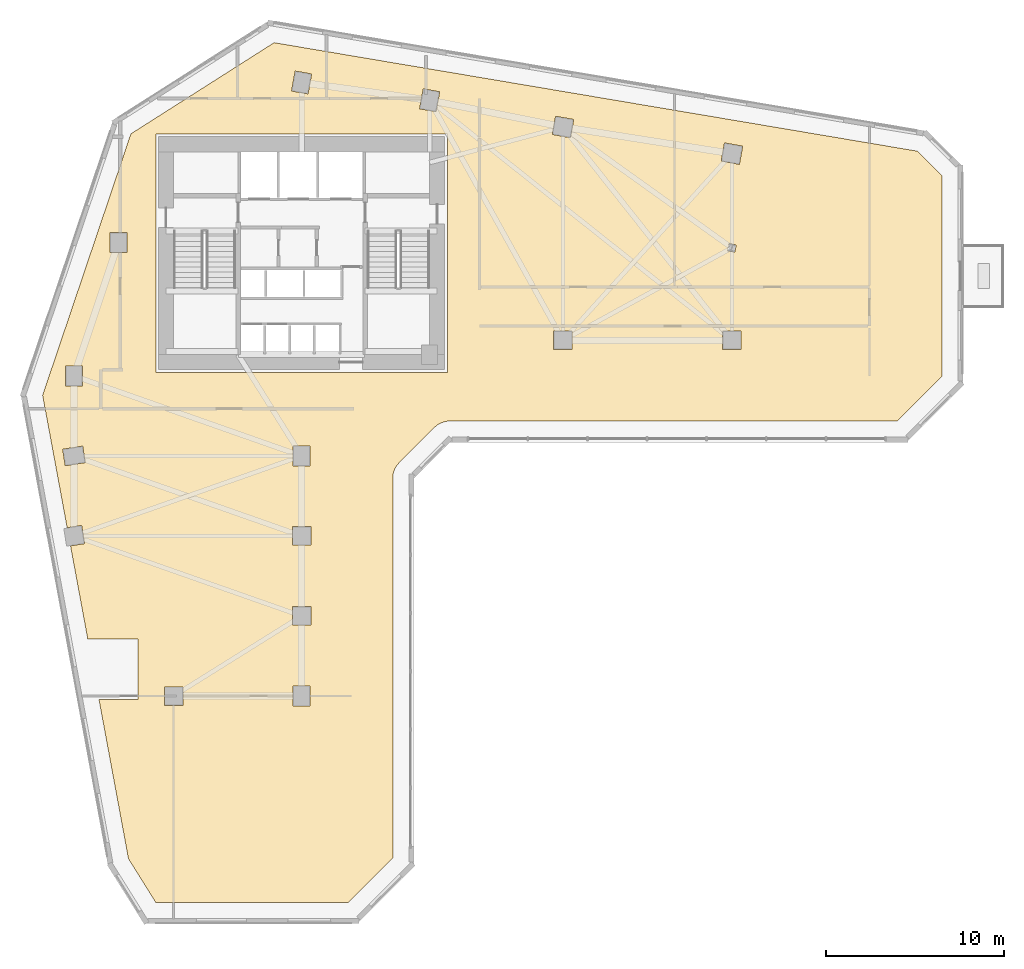
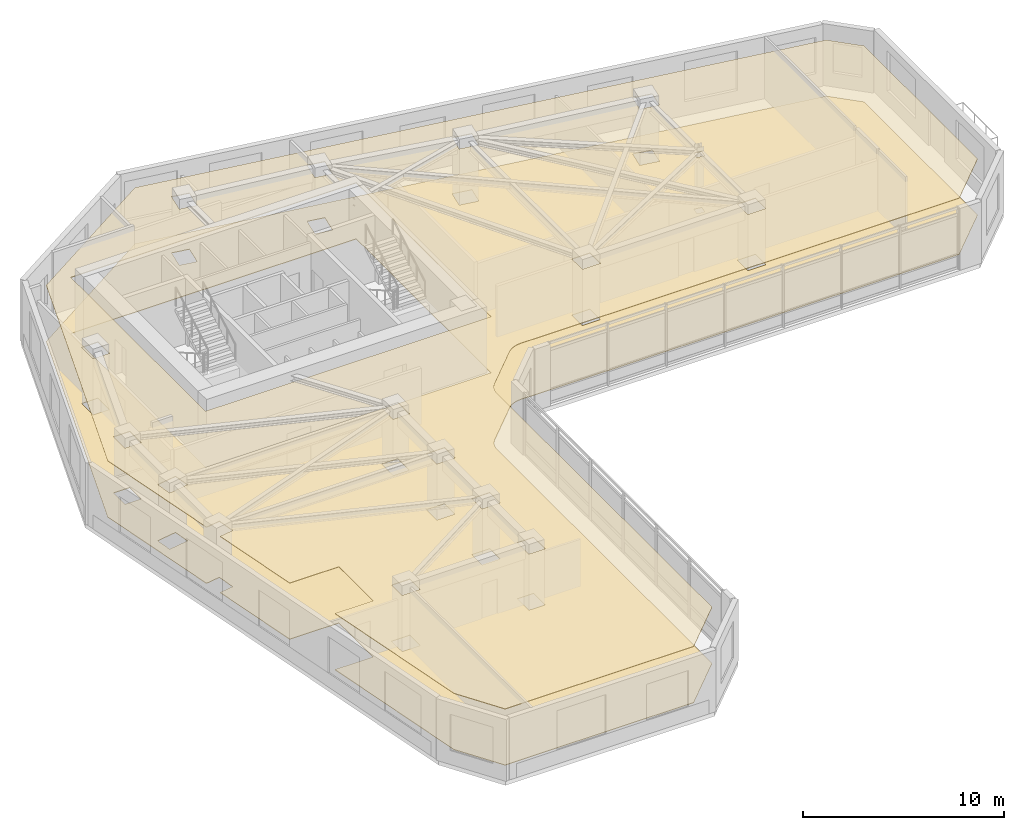
# One storey, part 9 of 11: 2 coverings.
"""IFC4 building model written with IfcOpenShell, lengths in metres."""

from ifc_helpers import new_model, si_unit, direction, frame, origin, place, context, subcontext, project, spatial, polyline, outline, extrude, material, layer, layer_set, type_object, element, save


model = new_model("IFC4")

# Units and contexts
model_context = context("Model", 3, precision=1e-05, world=origin(), true_north=direction((0.0, 1.0)))
body_context = subcontext(model_context, "Body", "Model", "MODEL_VIEW")
ifc_project = project(units=[si_unit("LENGTHUNIT", "METRE"), si_unit("AREAUNIT", "SQUARE_METRE"), si_unit("VOLUMEUNIT", "CUBIC_METRE"), si_unit("PLANEANGLEUNIT", "RADIAN"), si_unit("MASSUNIT", "GRAM", prefix="KILO")], contexts=[model_context])

# Site, building, storey
site_placement = place(None, origin())
site = spatial("IfcSite", under=ifc_project, at=site_placement, CompositionType="ELEMENT")
building_placement = place(site_placement, origin())
building = spatial("IfcBuilding", under=site, at=building_placement, Name="Calvemar Wedge Station Tower", CompositionType="ELEMENT")
storey_placement = place(building_placement, frame((0.0, 0.0, 35.0)))
storey = spatial("IfcBuildingStorey", under=building, at=storey_placement, Name="L08", CompositionType="ELEMENT", Elevation=35.0)

# Coverings
ifc_material_1 = material(Name="Moisture-resistant gypsum ceiling")
ifc_layer_1 = layer(ifc_material_1, 0.0400390625)
ifc_layer_set_1 = layer_set([ifc_layer_1], Name="Moisture-resistant gypsum ceiling")
covering_type_1 = type_object("IfcCoveringType", Name="COV-CEIL-GYPSUM", PredefinedType="CEILING", material=ifc_layer_set_1)
covering_1_placement = place(storey_placement, frame((0.0, 0.0, 3.39990234375)))
element("IfcCovering", 1, at=covering_1_placement, inside=storey, type_object=covering_type_1, Name="Storey L08 Acoustic Suspended Ceiling", PredefinedType="CEILING", context=body_context, shape_type="SweptSolid", body=[
    extrude(outline(polyline([(29.279541015625, 28.1083984375), (31.279541015625, 30.1083984375), (31.36669921875, 30.1875), (31.461181640625, 30.2578125), (31.562255859375, 30.318359375), (31.668701171875, 30.36865234375), (31.77978515625, 30.408203125), (31.893798828125, 30.43701171875), (32.010498046875, 30.4541015625), (32.1279296875, 30.4599609375), (57.302978515625, 30.4599609375), (59.800048828125, 32.95703125), (59.800048828125, 44.262939453125), (58.422607421875, 45.640380859375), (22.255126953125, 51.739990234375), (14.201416015625, 46.614990234375), (9.23681640625, 31.911865234375), (10.6162109375, 24.465087890625), (11.43115234375, 24.595703125), (11.595703125, 23.56884765625), (10.805908203125, 23.4423828125), (11.777099609375, 18.199951171875), (14.60009765625, 18.199951171875), (14.60009765625, 14.800048828125), (12.406982421875, 14.800048828125), (14.06640625, 5.8427734375), (15.593017578125, 3.39990234375), (26.430908203125, 3.39990234375), (28.927978515625, 5.897216796875), (28.927978515625, 27.260009765625), (28.933837890625, 27.377685546875), (28.951171875, 27.494140625), (28.979736328125, 27.6083984375), (29.019287109375, 27.71923828125), (29.069580078125, 27.82568359375), (29.130126953125, 27.9267578125), (29.200439453125, 28.021240234375), (29.279541015625, 28.1083984375)]), holes=[polyline([(15.60009765625, 46.60009765625), (32.0, 46.60009765625), (32.0, 33.199951171875), (15.60009765625, 33.199951171875), (15.60009765625, 46.60009765625)]), polyline([(10.530029296875, 32.429931640625), (10.530029296875, 33.570068359375), (11.469970703125, 33.570068359375), (11.469970703125, 32.429931640625), (10.530029296875, 32.429931640625)]), polyline([(13.030029296875, 41.070068359375), (13.969970703125, 41.070068359375), (13.969970703125, 39.929931640625), (13.030029296875, 39.929931640625), (13.030029296875, 41.070068359375)]), polyline([(24.363525390625, 49.977783203125), (24.16162109375, 48.855712890625), (23.236572265625, 49.022216796875), (23.4384765625, 50.144287109375), (24.363525390625, 49.977783203125)]), polyline([(31.361572265625, 47.855712890625), (30.4365234375, 48.022216796875), (30.638427734375, 49.144287109375), (31.5634765625, 48.977783203125), (31.361572265625, 47.855712890625)]), polyline([(37.89599609375, 46.580322265625), (38.080322265625, 47.60400390625), (39.10400390625, 47.419677734375), (38.919677734375, 46.39599609375), (37.89599609375, 46.580322265625)]), polyline([(47.580322265625, 46.10400390625), (48.60400390625, 45.919677734375), (48.419677734375, 44.89599609375), (47.39599609375, 45.080322265625), (47.580322265625, 46.10400390625)]), polyline([(39.02001953125, 35.52001953125), (39.02001953125, 34.47998046875), (37.97998046875, 34.47998046875), (37.97998046875, 35.52001953125), (39.02001953125, 35.52001953125)]), polyline([(48.52001953125, 34.47998046875), (47.47998046875, 34.47998046875), (47.47998046875, 35.52001953125), (48.52001953125, 35.52001953125), (48.52001953125, 34.47998046875)]), polyline([(47.759765625, 40.033935546875), (47.832763671875, 40.439453125), (48.240234375, 40.3662109375), (48.167236328125, 39.960693359375), (47.759765625, 40.033935546875)]), polyline([(11.488525390625, 29.05419921875), (11.63720703125, 28.126220703125), (10.511474609375, 27.94580078125), (10.36279296875, 28.873779296875), (11.488525390625, 29.05419921875)]), polyline([(24.27001953125, 27.929931640625), (23.330078125, 27.929931640625), (23.330078125, 29.070068359375), (24.27001953125, 29.070068359375), (24.27001953125, 27.929931640625)]), polyline([(23.280029296875, 23.47998046875), (23.280029296875, 24.52001953125), (24.320068359375, 24.52001953125), (24.320068359375, 23.47998046875), (23.280029296875, 23.47998046875)]), polyline([(23.280029296875, 20.02001953125), (24.320068359375, 20.02001953125), (24.320068359375, 18.97998046875), (23.280029296875, 18.97998046875), (23.280029296875, 20.02001953125)]), polyline([(24.27001953125, 15.570068359375), (24.27001953125, 14.429931640625), (23.330078125, 14.429931640625), (23.330078125, 15.570068359375), (24.27001953125, 15.570068359375)]), polyline([(17.1201171875, 14.47998046875), (16.080078125, 14.47998046875), (16.080078125, 15.52001953125), (17.1201171875, 15.52001953125), (17.1201171875, 14.47998046875)])]), origin(), (0.0, 0.0, 1.0), 0.0400390625),
])
ifc_material_2 = material(Name="Commercial raised access floor")
ifc_layer_2 = layer(ifc_material_2, 0.030029296875)
ifc_layer_set_2 = layer_set([ifc_layer_2], Name="Commercial raised access floor")
covering_type_2 = type_object("IfcCoveringType", Name="COV-FLR-RAISED", PredefinedType="FLOORING", material=ifc_layer_set_2)
covering_2_placement = place(storey_placement, origin())
element("IfcCovering", 2, at=covering_2_placement, inside=storey, type_object=covering_type_2, Name="Storey L08 Architectural Floor Finish", PredefinedType="FLOORING", context=body_context, shape_type="SweptSolid", body=[
    extrude(outline(polyline([(29.279541015625, 28.1083984375), (31.279541015625, 30.1083984375), (31.36669921875, 30.1875), (31.461181640625, 30.2578125), (31.562255859375, 30.318359375), (31.668701171875, 30.36865234375), (31.77978515625, 30.408203125), (31.893798828125, 30.43701171875), (32.010498046875, 30.4541015625), (32.1279296875, 30.4599609375), (57.302978515625, 30.4599609375), (59.800048828125, 32.95703125), (59.800048828125, 44.262939453125), (58.422607421875, 45.640380859375), (22.255126953125, 51.739990234375), (14.201416015625, 46.614990234375), (9.23681640625, 31.911865234375), (10.6162109375, 24.465087890625), (11.43115234375, 24.595703125), (11.595703125, 23.56884765625), (10.805908203125, 23.4423828125), (11.777099609375, 18.199951171875), (14.60009765625, 18.199951171875), (14.60009765625, 14.800048828125), (12.406982421875, 14.800048828125), (14.06640625, 5.8427734375), (15.593017578125, 3.39990234375), (26.430908203125, 3.39990234375), (28.927978515625, 5.897216796875), (28.927978515625, 27.260009765625), (28.933837890625, 27.377685546875), (28.951171875, 27.494140625), (28.979736328125, 27.6083984375), (29.019287109375, 27.71923828125), (29.069580078125, 27.82568359375), (29.130126953125, 27.9267578125), (29.200439453125, 28.021240234375), (29.279541015625, 28.1083984375)]), holes=[polyline([(15.60009765625, 46.60009765625), (32.0, 46.60009765625), (32.0, 33.199951171875), (15.60009765625, 33.199951171875), (15.60009765625, 46.60009765625)]), polyline([(10.530029296875, 32.429931640625), (10.530029296875, 33.570068359375), (11.469970703125, 33.570068359375), (11.469970703125, 32.429931640625), (10.530029296875, 32.429931640625)]), polyline([(13.030029296875, 41.070068359375), (13.969970703125, 41.070068359375), (13.969970703125, 39.929931640625), (13.030029296875, 39.929931640625), (13.030029296875, 41.070068359375)]), polyline([(24.363525390625, 49.977783203125), (24.16162109375, 48.855712890625), (23.236572265625, 49.022216796875), (23.4384765625, 50.144287109375), (24.363525390625, 49.977783203125)]), polyline([(31.361572265625, 47.855712890625), (30.4365234375, 48.022216796875), (30.638427734375, 49.144287109375), (31.5634765625, 48.977783203125), (31.361572265625, 47.855712890625)]), polyline([(37.89599609375, 46.580322265625), (38.080322265625, 47.60400390625), (39.10400390625, 47.419677734375), (38.919677734375, 46.39599609375), (37.89599609375, 46.580322265625)]), polyline([(47.580322265625, 46.10400390625), (48.60400390625, 45.919677734375), (48.419677734375, 44.89599609375), (47.39599609375, 45.080322265625), (47.580322265625, 46.10400390625)]), polyline([(39.02001953125, 35.52001953125), (39.02001953125, 34.47998046875), (37.97998046875, 34.47998046875), (37.97998046875, 35.52001953125), (39.02001953125, 35.52001953125)]), polyline([(48.52001953125, 34.47998046875), (47.47998046875, 34.47998046875), (47.47998046875, 35.52001953125), (48.52001953125, 35.52001953125), (48.52001953125, 34.47998046875)]), polyline([(47.759765625, 40.033935546875), (47.832763671875, 40.439453125), (48.240234375, 40.3662109375), (48.167236328125, 39.960693359375), (47.759765625, 40.033935546875)]), polyline([(11.488525390625, 29.05419921875), (11.63720703125, 28.126220703125), (10.511474609375, 27.94580078125), (10.36279296875, 28.873779296875), (11.488525390625, 29.05419921875)]), polyline([(24.27001953125, 27.929931640625), (23.330078125, 27.929931640625), (23.330078125, 29.070068359375), (24.27001953125, 29.070068359375), (24.27001953125, 27.929931640625)]), polyline([(23.280029296875, 23.47998046875), (23.280029296875, 24.52001953125), (24.320068359375, 24.52001953125), (24.320068359375, 23.47998046875), (23.280029296875, 23.47998046875)]), polyline([(23.280029296875, 20.02001953125), (24.320068359375, 20.02001953125), (24.320068359375, 18.97998046875), (23.280029296875, 18.97998046875), (23.280029296875, 20.02001953125)]), polyline([(24.27001953125, 15.570068359375), (24.27001953125, 14.429931640625), (23.330078125, 14.429931640625), (23.330078125, 15.570068359375), (24.27001953125, 15.570068359375)]), polyline([(17.1201171875, 14.47998046875), (16.080078125, 14.47998046875), (16.080078125, 15.52001953125), (17.1201171875, 15.52001953125), (17.1201171875, 14.47998046875)])]), origin(), (0.0, 0.0, 1.0), 0.030029296875),
])

save(model, "model.ifc")
